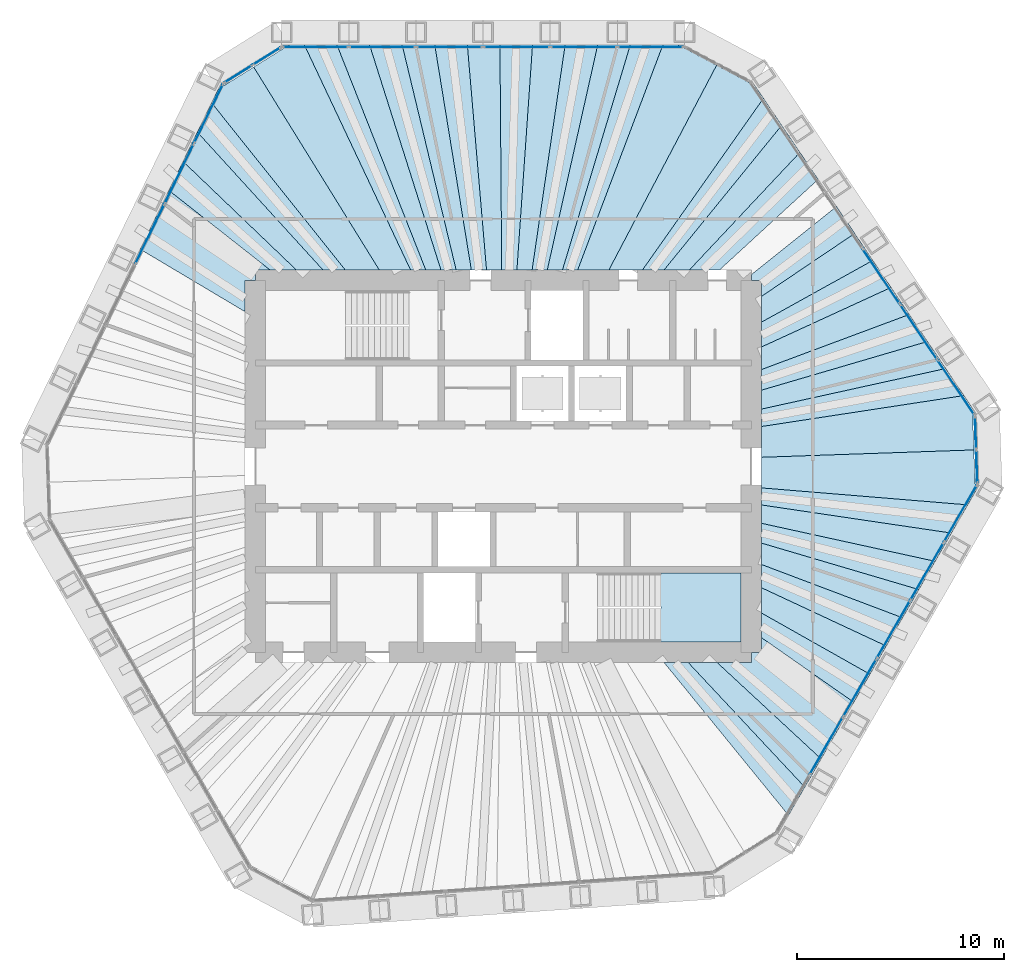
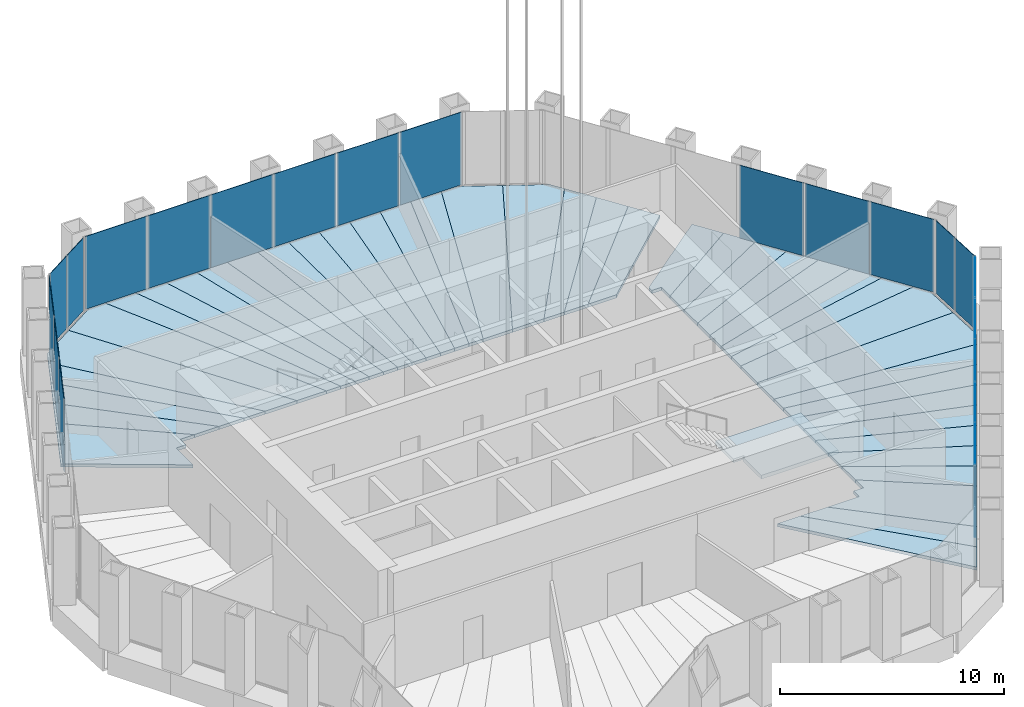
# One storey, part 10 of 19: 42 slabs, 21 plates, 7 elements without a shape of their own.
"""IFC4 building model written with IfcOpenShell, lengths in metres."""

from ifc_helpers import new_model, si_unit, direction, frame, origin, origin_2d, place, context, subcontext, project, spatial, polyline, rectangle, outline, extrude, material, layer, layer_set, type_object, element, aggregate, save


model = new_model("IFC4")

# Units and contexts
model_context = context("Model", 3, precision=1e-05, world=origin(), true_north=direction((0.0, 1.0)))
body_context = subcontext(model_context, "Body", "Model", "MODEL_VIEW")
ifc_project = project(units=[si_unit("LENGTHUNIT", "METRE"), si_unit("AREAUNIT", "SQUARE_METRE"), si_unit("VOLUMEUNIT", "CUBIC_METRE"), si_unit("PLANEANGLEUNIT", "RADIAN"), si_unit("MASSUNIT", "GRAM", prefix="KILO")], contexts=[model_context])

# Site, building, storey
site_placement = place(None, origin())
site = spatial("IfcSite", under=ifc_project, at=site_placement, CompositionType="ELEMENT")
building_placement = place(site_placement, origin())
building = spatial("IfcBuilding", under=site, at=building_placement, Name="Qingtian Harvest Tower", CompositionType="ELEMENT")
storey_placement = place(building_placement, frame((0.0, 0.0, 262.0)))
storey = spatial("IfcBuildingStorey", under=building, at=storey_placement, Name="L57", CompositionType="ELEMENT", Elevation=262.0)

# Slabs
ifc_material_1 = material(Name="Concrete fc' 35 MPa", Category="concrete")
ifc_layer_1 = layer(ifc_material_1, 0.169921875)
ifc_layer_set_1 = layer_set([ifc_layer_1], Name="Composite floor slab FS17 170")
slab_type_1 = type_object("IfcSlabType", Name="Composite floor slab FS17 170", PredefinedType="FLOOR", material=ifc_layer_set_1)
slab_1_placement = place(storey_placement, frame((0.0, 0.0, -0.169921875)))
element("IfcSlab", 1, at=slab_1_placement, inside=storey, type_object=slab_type_1, Name="Floor slab L57 panel D28", PredefinedType="FLOOR", context=body_context, shape_type="SweptSolid", body=[
    extrude(outline(polyline([(8.957275390625, -9.5), (14.5966796875, -15.52783203125), (13.8076171875, -16.89453125), (7.78515625, -9.5), (8.957275390625, -9.5)])), origin(), (0.0, 0.0, 1.0), 0.169921875),
])
slab_2_placement = place(storey_placement, frame((0.0, 0.0, -0.169921875)))
element("IfcSlab", 2, at=slab_2_placement, inside=storey, type_object=slab_type_1, Name="Floor slab L57 panel D29", PredefinedType="FLOOR", context=body_context, shape_type="SweptSolid", body=[
    extrude(outline(polyline([(10.35693359375, -9.5), (15.385986328125, -14.16064453125), (14.5966796875, -15.52783203125), (8.957275390625, -9.5), (10.35693359375, -9.5)])), origin(), (0.0, 0.0, 1.0), 0.169921875),
])
slab_3_placement = place(storey_placement, frame((0.0, 0.0, -0.169921875)))
element("IfcSlab", 3, at=slab_3_placement, inside=storey, type_object=slab_type_1, Name="Floor slab L57 panel D31", PredefinedType="FLOOR", context=body_context, shape_type="SweptSolid", body=[
    extrude(outline(polyline([(12.5, -8.29443359375), (16.96826171875, -11.420166015625), (15.385986328125, -14.16064453125), (10.35693359375, -9.5), (12.0, -9.5), (12.0, -9.0), (12.5, -9.0), (12.5, -8.29443359375)])), origin(), (0.0, 0.0, 1.0), 0.169921875),
])
slab_4_placement = place(storey_placement, frame((0.0, 0.0, -0.169921875)))
element("IfcSlab", 4, at=slab_4_placement, inside=storey, type_object=slab_type_1, Name="Floor slab L57 panel D32", PredefinedType="FLOOR", context=body_context, shape_type="SweptSolid", body=[
    extrude(outline(polyline([(12.5, -7.099853515625), (17.75146484375, -10.063720703125), (16.96826171875, -11.420166015625), (12.5, -8.29443359375), (12.5, -7.099853515625)])), origin(), (0.0, 0.0, 1.0), 0.169921875),
])
slab_5_placement = place(storey_placement, frame((0.0, 0.0, -0.169921875)))
element("IfcSlab", 5, at=slab_5_placement, inside=storey, type_object=slab_type_1, Name="Floor slab L57 panel D33", PredefinedType="FLOOR", context=body_context, shape_type="SweptSolid", body=[
    extrude(outline(polyline([(12.5, -5.875244140625), (18.54052734375, -8.69677734375), (17.75146484375, -10.063720703125), (12.5, -7.099853515625), (12.5, -5.875244140625)])), origin(), (0.0, 0.0, 1.0), 0.169921875),
])
slab_6_placement = place(storey_placement, frame((0.0, 0.0, -0.169921875)))
element("IfcSlab", 6, at=slab_6_placement, inside=storey, type_object=slab_type_1, Name="Floor slab L57 panel D34", PredefinedType="FLOOR", context=body_context, shape_type="SweptSolid", body=[
    extrude(outline(polyline([(12.5, -4.750732421875), (19.32958984375, -7.330078125), (18.54052734375, -8.69677734375), (12.5, -5.875244140625), (12.5, -4.750732421875)])), origin(), (0.0, 0.0, 1.0), 0.169921875),
])
slab_7_placement = place(storey_placement, frame((0.0, 0.0, -0.169921875)))
element("IfcSlab", 7, at=slab_7_placement, inside=storey, type_object=slab_type_1, Name="Floor slab L57 panel D35", PredefinedType="FLOOR", context=body_context, shape_type="SweptSolid", body=[
    extrude(outline(polyline([(12.5, -3.714599609375), (20.11865234375, -5.963623046875), (19.32958984375, -7.330078125), (12.5, -4.750732421875), (12.5, -3.714599609375)])), origin(), (0.0, 0.0, 1.0), 0.169921875),
])
slab_8_placement = place(storey_placement, frame((0.0, 0.0, -0.169921875)))
element("IfcSlab", 8, at=slab_8_placement, inside=storey, type_object=slab_type_1, Name="Floor slab L57 panel D36", PredefinedType="FLOOR", context=body_context, shape_type="SweptSolid", body=[
    extrude(outline(polyline([(12.5, -2.756591796875), (20.90771484375, -4.596923828125), (20.11865234375, -5.963623046875), (12.5, -3.714599609375), (12.5, -2.756591796875)])), origin(), (0.0, 0.0, 1.0), 0.169921875),
])
slab_9_placement = place(storey_placement, frame((0.0, 0.0, -0.169921875)))
element("IfcSlab", 9, at=slab_9_placement, inside=storey, type_object=slab_type_1, Name="Floor slab L57 panel D37", PredefinedType="FLOOR", context=body_context, shape_type="SweptSolid", body=[
    extrude(outline(polyline([(12.5, -1.868408203125), (21.69677734375, -3.230224609375), (20.90771484375, -4.596923828125), (12.5, -2.756591796875), (12.5, -1.868408203125)])), origin(), (0.0, 0.0, 1.0), 0.169921875),
])
slab_10_placement = place(storey_placement, frame((0.0, 0.0, -0.169921875)))
element("IfcSlab", 10, at=slab_10_placement, inside=storey, type_object=slab_type_1, Name="Floor slab L57 panel D38", PredefinedType="FLOOR", context=body_context, shape_type="SweptSolid", body=[
    extrude(outline(polyline([(12.5, -1.042724609375), (22.48583984375, -1.863525390625), (21.69677734375, -3.230224609375), (12.5, -1.868408203125), (12.5, -1.042724609375)])), origin(), (0.0, 0.0, 1.0), 0.169921875),
])
slab_11_placement = place(storey_placement, frame((0.0, 0.0, -0.169921875)))
element("IfcSlab", 11, at=slab_11_placement, inside=storey, type_object=slab_type_1, Name="Floor slab L57 panel D39", PredefinedType="FLOOR", context=body_context, shape_type="SweptSolid", body=[
    extrude(outline(polyline([(12.5, -1.042724609375), (12.5, 0.439697265625), (22.775390625, 0.795654296875), (22.846435546875, -1.23876953125), (22.48583984375, -1.863525390625), (12.5, -1.042724609375)])), origin(), (0.0, 0.0, 1.0), 0.169921875),
])
slab_12_placement = place(storey_placement, frame((0.0, 0.0, -0.169921875)))
element("IfcSlab", 12, at=slab_12_placement, inside=storey, type_object=slab_type_1, Name="Floor slab L57 panel D40", PredefinedType="FLOOR", context=body_context, shape_type="SweptSolid", body=[
    extrude(outline(polyline([(12.5, 0.439697265625), (12.5, 1.928955078125), (22.301025390625, 3.427490234375), (22.704345703125, 2.829345703125), (22.775390625, 0.795654296875), (12.5, 0.439697265625)])), origin(), (0.0, 0.0, 1.0), 0.169921875),
])
slab_13_placement = place(storey_placement, frame((0.0, 0.0, -0.169921875)))
element("IfcSlab", 13, at=slab_13_placement, inside=storey, type_object=slab_type_1, Name="Floor slab L57 panel D41", PredefinedType="FLOOR", context=body_context, shape_type="SweptSolid", body=[
    extrude(outline(polyline([(12.5, 2.772705078125), (21.41845703125, 4.73583984375), (22.301025390625, 3.427490234375), (12.5, 1.928955078125), (12.5, 2.772705078125)])), origin(), (0.0, 0.0, 1.0), 0.169921875),
])
slab_14_placement = place(storey_placement, frame((0.0, 0.0, -0.169921875)))
element("IfcSlab", 14, at=slab_14_placement, inside=storey, type_object=slab_type_1, Name="Floor slab L57 panel D42", PredefinedType="FLOOR", context=body_context, shape_type="SweptSolid", body=[
    extrude(outline(polyline([(12.5, 3.688720703125), (20.5361328125, 6.044189453125), (21.41845703125, 4.73583984375), (12.5, 2.772705078125), (12.5, 3.688720703125)])), origin(), (0.0, 0.0, 1.0), 0.169921875),
])
slab_15_placement = place(storey_placement, frame((0.0, 0.0, -0.169921875)))
element("IfcSlab", 15, at=slab_15_placement, inside=storey, type_object=slab_type_1, Name="Floor slab L57 panel D43", PredefinedType="FLOOR", context=body_context, shape_type="SweptSolid", body=[
    extrude(outline(polyline([(12.5, 4.6875), (19.653564453125, 7.3525390625), (20.5361328125, 6.044189453125), (12.5, 3.688720703125), (12.5, 4.6875)])), origin(), (0.0, 0.0, 1.0), 0.169921875),
])
slab_16_placement = place(storey_placement, frame((0.0, 0.0, -0.169921875)))
element("IfcSlab", 16, at=slab_16_placement, inside=storey, type_object=slab_type_1, Name="Floor slab L57 panel D44", PredefinedType="FLOOR", context=body_context, shape_type="SweptSolid", body=[
    extrude(outline(polyline([(12.5, 5.780029296875), (18.77099609375, 8.660888671875), (19.653564453125, 7.3525390625), (12.5, 4.6875), (12.5, 5.780029296875)])), origin(), (0.0, 0.0, 1.0), 0.169921875),
])
slab_17_placement = place(storey_placement, frame((0.0, 0.0, -0.169921875)))
element("IfcSlab", 17, at=slab_17_placement, inside=storey, type_object=slab_type_1, Name="Floor slab L57 panel D45", PredefinedType="FLOOR", context=body_context, shape_type="SweptSolid", body=[
    extrude(outline(polyline([(12.5, 6.980712890625), (17.888427734375, 9.96923828125), (18.77099609375, 8.660888671875), (12.5, 5.780029296875), (12.5, 6.980712890625)])), origin(), (0.0, 0.0, 1.0), 0.169921875),
])
slab_18_placement = place(storey_placement, frame((0.0, 0.0, -0.169921875)))
element("IfcSlab", 18, at=slab_18_placement, inside=storey, type_object=slab_type_1, Name="Floor slab L57 panel D46", PredefinedType="FLOOR", context=body_context, shape_type="SweptSolid", body=[
    extrude(outline(polyline([(12.5, 8.22998046875), (17.009521484375, 11.2724609375), (17.888427734375, 9.96923828125), (12.5, 6.980712890625), (12.5, 8.22998046875)])), origin(), (0.0, 0.0, 1.0), 0.169921875),
])
slab_19_placement = place(storey_placement, frame((0.0, 0.0, -0.169921875)))
element("IfcSlab", 19, at=slab_19_placement, inside=storey, type_object=slab_type_1, Name="Floor slab L57 panel D47", PredefinedType="FLOOR", context=body_context, shape_type="SweptSolid", body=[
    extrude(outline(polyline([(12.5, 9.0), (12.0, 9.0), (12.0, 9.2734375), (16.12841796875, 12.57861328125), (17.009521484375, 11.2724609375), (12.5, 8.22998046875), (12.5, 9.0)])), origin(), (0.0, 0.0, 1.0), 0.169921875),
])
slab_20_placement = place(storey_placement, frame((0.0, 0.0, -0.169921875)))
element("IfcSlab", 20, at=slab_20_placement, inside=storey, type_object=slab_type_1, Name="Floor slab L57 panel D49", PredefinedType="FLOOR", context=body_context, shape_type="SweptSolid", body=[
    extrude(outline(polyline([(9.002685546875, 9.5), (14.3603515625, 15.199951171875), (15.2431640625, 13.89111328125), (10.4599609375, 9.5), (9.002685546875, 9.5)])), origin(), (0.0, 0.0, 1.0), 0.169921875),
])
slab_21_placement = place(storey_placement, frame((0.0, 0.0, -0.169921875)))
element("IfcSlab", 21, at=slab_21_placement, inside=storey, type_object=slab_type_1, Name="Floor slab L57 panel D50", PredefinedType="FLOOR", context=body_context, shape_type="SweptSolid", body=[
    extrude(outline(polyline([(7.77734375, 9.5), (13.477783203125, 16.50830078125), (14.3603515625, 15.199951171875), (9.002685546875, 9.5), (7.77734375, 9.5)])), origin(), (0.0, 0.0, 1.0), 0.169921875),
])
slab_22_placement = place(storey_placement, frame((0.0, 0.0, -0.169921875)))
element("IfcSlab", 22, at=slab_22_placement, inside=storey, type_object=slab_type_1, Name="Floor slab L57 panel D51", PredefinedType="FLOOR", context=body_context, shape_type="SweptSolid", body=[
    extrude(outline(polyline([(6.73291015625, 9.5), (12.59521484375, 17.81689453125), (13.477783203125, 16.50830078125), (7.77734375, 9.5), (6.73291015625, 9.5)])), origin(), (0.0, 0.0, 1.0), 0.169921875),
])
slab_23_placement = place(storey_placement, frame((0.0, 0.0, -0.169921875)))
element("IfcSlab", 23, at=slab_23_placement, inside=storey, type_object=slab_type_1, Name="Floor slab L57 panel D52", PredefinedType="FLOOR", context=body_context, shape_type="SweptSolid", body=[
    extrude(outline(polyline([(6.73291015625, 9.5), (5.108154296875, 9.5), (10.322998046875, 19.408935546875), (12.191650390625, 18.415283203125), (12.59521484375, 17.81689453125), (6.73291015625, 9.5)])), origin(), (0.0, 0.0, 1.0), 0.169921875),
])
slab_24_placement = place(storey_placement, frame((0.0, 0.0, -0.169921875)))
element("IfcSlab", 24, at=slab_24_placement, inside=storey, type_object=slab_type_1, Name="Floor slab L57 panel D53", PredefinedType="FLOOR", context=body_context, shape_type="SweptSolid", body=[
    extrude(outline(polyline([(3.59814453125, 9.5), (7.728515625, 20.405029296875), (8.449462890625, 20.405029296875), (10.322998046875, 19.408935546875), (5.108154296875, 9.5), (3.59814453125, 9.5)])), origin(), (0.0, 0.0, 1.0), 0.169921875),
])
slab_25_placement = place(storey_placement, frame((0.0, 0.0, -0.169921875)))
element("IfcSlab", 25, at=slab_25_placement, inside=storey, type_object=slab_type_1, Name="Floor slab L57 panel D54", PredefinedType="FLOOR", context=body_context, shape_type="SweptSolid", body=[
    extrude(outline(polyline([(2.863525390625, 9.5), (6.150634765625, 20.405029296875), (7.728515625, 20.405029296875), (3.59814453125, 9.5), (2.863525390625, 9.5)])), origin(), (0.0, 0.0, 1.0), 0.169921875),
])
slab_26_placement = place(storey_placement, frame((0.0, 0.0, -0.169921875)))
element("IfcSlab", 26, at=slab_26_placement, inside=storey, type_object=slab_type_1, Name="Floor slab L57 panel D55", PredefinedType="FLOOR", context=body_context, shape_type="SweptSolid", body=[
    extrude(outline(polyline([(2.12890625, 9.5), (4.572509765625, 20.405029296875), (6.150634765625, 20.405029296875), (2.863525390625, 9.5), (2.12890625, 9.5)])), origin(), (0.0, 0.0, 1.0), 0.169921875),
])
slab_27_placement = place(storey_placement, frame((0.0, 0.0, -0.169921875)))
element("IfcSlab", 27, at=slab_27_placement, inside=storey, type_object=slab_type_1, Name="Floor slab L57 panel D56", PredefinedType="FLOOR", context=body_context, shape_type="SweptSolid", body=[
    extrude(outline(polyline([(1.394287109375, 9.5), (2.99462890625, 20.405029296875), (4.572509765625, 20.405029296875), (2.12890625, 9.5), (1.394287109375, 9.5)])), origin(), (0.0, 0.0, 1.0), 0.169921875),
])
slab_28_placement = place(storey_placement, frame((0.0, 0.0, -0.169921875)))
element("IfcSlab", 28, at=slab_28_placement, inside=storey, type_object=slab_type_1, Name="Floor slab L57 panel D57", PredefinedType="FLOOR", context=body_context, shape_type="SweptSolid", body=[
    extrude(outline(polyline([(0.659423828125, 9.5), (1.41650390625, 20.405029296875), (2.99462890625, 20.405029296875), (1.394287109375, 9.5), (0.659423828125, 9.5)])), origin(), (0.0, 0.0, 1.0), 0.169921875),
])
slab_29_placement = place(storey_placement, frame((0.0, 0.0, -0.169921875)))
element("IfcSlab", 29, at=slab_29_placement, inside=storey, type_object=slab_type_1, Name="Floor slab L57 panel D58", PredefinedType="FLOOR", context=body_context, shape_type="SweptSolid", body=[
    extrude(outline(polyline([(-0.0751953125, 9.5), (-0.161376953125, 20.405029296875), (1.41650390625, 20.405029296875), (0.659423828125, 9.5), (-0.0751953125, 9.5)])), origin(), (0.0, 0.0, 1.0), 0.169921875),
])
slab_30_placement = place(storey_placement, frame((0.0, 0.0, -0.169921875)))
element("IfcSlab", 30, at=slab_30_placement, inside=storey, type_object=slab_type_1, Name="Floor slab L57 panel D59", PredefinedType="FLOOR", context=body_context, shape_type="SweptSolid", body=[
    extrude(outline(polyline([(-0.809814453125, 9.5), (-1.739501953125, 20.405029296875), (-0.161376953125, 20.405029296875), (-0.0751953125, 9.5), (-0.809814453125, 9.5)])), origin(), (0.0, 0.0, 1.0), 0.169921875),
])
slab_31_placement = place(storey_placement, frame((0.0, 0.0, -0.169921875)))
element("IfcSlab", 31, at=slab_31_placement, inside=storey, type_object=slab_type_1, Name="Floor slab L57 panel D60", PredefinedType="FLOOR", context=body_context, shape_type="SweptSolid", body=[
    extrude(outline(polyline([(-1.54443359375, 9.5), (-3.3173828125, 20.405029296875), (-1.739501953125, 20.405029296875), (-0.809814453125, 9.5), (-1.54443359375, 9.5)])), origin(), (0.0, 0.0, 1.0), 0.169921875),
])
slab_32_placement = place(storey_placement, frame((0.0, 0.0, -0.169921875)))
element("IfcSlab", 32, at=slab_32_placement, inside=storey, type_object=slab_type_1, Name="Floor slab L57 panel D61", PredefinedType="FLOOR", context=body_context, shape_type="SweptSolid", body=[
    extrude(outline(polyline([(-2.279296875, 9.5), (-4.8955078125, 20.405029296875), (-3.3173828125, 20.405029296875), (-1.54443359375, 9.5), (-2.279296875, 9.5)])), origin(), (0.0, 0.0, 1.0), 0.169921875),
])
slab_33_placement = place(storey_placement, frame((0.0, 0.0, -0.169921875)))
element("IfcSlab", 33, at=slab_33_placement, inside=storey, type_object=slab_type_1, Name="Floor slab L57 panel D62", PredefinedType="FLOOR", context=body_context, shape_type="SweptSolid", body=[
    extrude(outline(polyline([(-3.013916015625, 9.5), (-6.473388671875, 20.405029296875), (-4.8955078125, 20.405029296875), (-2.279296875, 9.5), (-3.013916015625, 9.5)])), origin(), (0.0, 0.0, 1.0), 0.169921875),
])
slab_34_placement = place(storey_placement, frame((0.0, 0.0, -0.169921875)))
element("IfcSlab", 34, at=slab_34_placement, inside=storey, type_object=slab_type_1, Name="Floor slab L57 panel D63", PredefinedType="FLOOR", context=body_context, shape_type="SweptSolid", body=[
    extrude(outline(polyline([(-3.74853515625, 9.5), (-8.051513671875, 20.405029296875), (-6.473388671875, 20.405029296875), (-3.013916015625, 9.5), (-3.74853515625, 9.5)])), origin(), (0.0, 0.0, 1.0), 0.169921875),
])
slab_35_placement = place(storey_placement, frame((0.0, 0.0, -0.169921875)))
element("IfcSlab", 35, at=slab_35_placement, inside=storey, type_object=slab_type_1, Name="Floor slab L57 panel D64", PredefinedType="FLOOR", context=body_context, shape_type="SweptSolid", body=[
    extrude(outline(polyline([(-4.483154296875, 9.5), (-9.62939453125, 20.405029296875), (-8.051513671875, 20.405029296875), (-3.74853515625, 9.5), (-4.483154296875, 9.5)])), origin(), (0.0, 0.0, 1.0), 0.169921875),
])
slab_36_placement = place(storey_placement, frame((0.0, 0.0, -0.169921875)))
element("IfcSlab", 36, at=slab_36_placement, inside=storey, type_object=slab_type_1, Name="Floor slab L57 panel D65", PredefinedType="FLOOR", context=body_context, shape_type="SweptSolid", body=[
    extrude(outline(polyline([(-4.483154296875, 9.5), (-5.998291015625, 9.5), (-12.0791015625, 19.324951171875), (-10.350341796875, 20.405029296875), (-9.62939453125, 20.405029296875), (-4.483154296875, 9.5)])), origin(), (0.0, 0.0, 1.0), 0.169921875),
])
slab_37_placement = place(storey_placement, frame((0.0, 0.0, -0.169921875)))
element("IfcSlab", 37, at=slab_37_placement, inside=storey, type_object=slab_type_1, Name="Floor slab L57 panel D66", PredefinedType="FLOOR", context=body_context, shape_type="SweptSolid", body=[
    extrude(outline(polyline([(-5.998291015625, 9.5), (-7.640869140625, 9.5), (-14.119140625, 17.598876953125), (-13.802490234375, 18.247802734375), (-12.0791015625, 19.324951171875), (-5.998291015625, 9.5)])), origin(), (0.0, 0.0, 1.0), 0.169921875),
])
slab_38_placement = place(storey_placement, frame((0.0, 0.0, -0.169921875)))
element("IfcSlab", 38, at=slab_38_placement, inside=storey, type_object=slab_type_1, Name="Floor slab L57 panel D67", PredefinedType="FLOOR", context=body_context, shape_type="SweptSolid", body=[
    extrude(outline(polyline([(-8.720703125, 9.5), (-14.81103515625, 16.180419921875), (-14.119140625, 17.598876953125), (-7.640869140625, 9.5), (-8.720703125, 9.5)])), origin(), (0.0, 0.0, 1.0), 0.169921875),
])
slab_39_placement = place(storey_placement, frame((0.0, 0.0, -0.169921875)))
element("IfcSlab", 39, at=slab_39_placement, inside=storey, type_object=slab_type_1, Name="Floor slab L57 panel D68", PredefinedType="FLOOR", context=body_context, shape_type="SweptSolid", body=[
    extrude(outline(polyline([(-10.00927734375, 9.5), (-15.5029296875, 14.76171875), (-14.81103515625, 16.180419921875), (-8.720703125, 9.5), (-10.00927734375, 9.5)])), origin(), (0.0, 0.0, 1.0), 0.169921875),
])
slab_40_placement = place(storey_placement, frame((0.0, 0.0, -0.169921875)))
element("IfcSlab", 40, at=slab_40_placement, inside=storey, type_object=slab_type_1, Name="Floor slab L57 panel D69", PredefinedType="FLOOR", context=body_context, shape_type="SweptSolid", body=[
    extrude(outline(polyline([(-11.28125, 9.5), (-16.1875, 13.35791015625), (-15.5029296875, 14.76171875), (-10.00927734375, 9.5), (-11.28125, 9.5)])), origin(), (0.0, 0.0, 1.0), 0.169921875),
])
slab_41_placement = place(storey_placement, frame((0.0, 0.0, -0.169921875)))
element("IfcSlab", 41, at=slab_41_placement, inside=storey, type_object=slab_type_1, Name="Floor slab L57 panel D70", PredefinedType="FLOOR", context=body_context, shape_type="SweptSolid", body=[
    extrude(outline(polyline([(-12.0, 9.0), (-12.5, 9.0), (-12.5, 7.48583984375), (-17.576904296875, 10.50927734375), (-16.1875, 13.35791015625), (-11.28125, 9.5), (-12.0, 9.5), (-12.0, 9.0)])), origin(), (0.0, 0.0, 1.0), 0.169921875),
])

# Curtain wall, plates
ifc_material_2 = material(Name="Bronze-anodised aluminium curtain wall", Category="aluminium")
curtain_wall_type = type_object("IfcCurtainWallType", Name="Curtain wall CW3 sky lobby", PredefinedType="USERDEFINED", material=ifc_material_2)
curtain_wall_1_placement = place(storey_placement, origin())
curtain_wall_1 = element("IfcCurtainWall", 42, at=curtain_wall_1_placement, inside=storey, type_object=curtain_wall_type, Name="Curtain wall CW3 L57 N0-5", ObjectType="RECESSED CURTAIN WALL", PredefinedType="USERDEFINED")
ifc_material_3 = material(Name="Bronze-tinted laminated insulating glass", Category="glass")
ifc_layer_2 = layer(ifc_material_3, 0.030029296875)
ifc_layer_set_2 = layer_set([ifc_layer_2], Name="Glazed panel CWP tinted IGU")
plate_type = type_object("IfcPlateType", Name="Glazed panel CWP tinted IGU", PredefinedType="CURTAIN_PANEL", material=ifc_layer_set_2)
plate_1_placement = place(storey_placement, frame((-9.08203125, 20.300048828125, 0.06494140625), z_axis=(0.0, 0.0, 1.0), x_axis=(1.0, 0.0, 0.0)))
plate_1 = element("IfcPlate", 43, at=plate_1_placement, type_object=plate_type, Name="CW3 panel 1.1", PredefinedType="CURTAIN_PANEL", context=body_context, shape_type="SweptSolid", body=[
    extrude(rectangle(XDim=3.150634765625, YDim=0.030029296875, at=origin_2d()), origin(), (0.0, 0.0, 1.0), 3.965087890625),
])
plate_2_placement = place(storey_placement, frame((-5.85009765625, 20.300048828125, 0.06494140625), z_axis=(0.0, 0.0, 1.0), x_axis=(1.0, 0.0, 0.0)))
plate_2 = element("IfcPlate", 44, at=plate_2_placement, type_object=plate_type, Name="CW3 panel 2.1", PredefinedType="CURTAIN_PANEL", context=body_context, shape_type="SweptSolid", body=[
    extrude(rectangle(XDim=3.18310546875, YDim=0.030029296875, at=origin_2d()), origin(), (0.0, 0.0, 1.0), 3.965087890625),
])
plate_3_placement = place(storey_placement, frame((-2.602294921875, 20.300048828125, 0.06494140625), z_axis=(0.0, 0.0, 1.0), x_axis=(1.0, 0.0, 0.0)))
plate_3 = element("IfcPlate", 45, at=plate_3_placement, type_object=plate_type, Name="CW3 panel 3.1", PredefinedType="CURTAIN_PANEL", context=body_context, shape_type="SweptSolid", body=[
    extrude(rectangle(XDim=3.18310546875, YDim=0.030029296875, at=origin_2d()), origin(), (0.0, 0.0, 1.0), 3.965087890625),
])
plate_4_placement = place(storey_placement, frame((0.645751953125, 20.300048828125, 0.06494140625), z_axis=(0.0, 0.0, 1.0), x_axis=(1.0, 0.0, 0.0)))
plate_4 = element("IfcPlate", 46, at=plate_4_placement, type_object=plate_type, Name="CW3 panel 4.1", PredefinedType="CURTAIN_PANEL", context=body_context, shape_type="SweptSolid", body=[
    extrude(rectangle(XDim=3.18310546875, YDim=0.030029296875, at=origin_2d()), origin(), (0.0, 0.0, 1.0), 3.965087890625),
])
plate_5_placement = place(storey_placement, frame((3.893798828125, 20.300048828125, 0.06494140625), z_axis=(0.0, 0.0, 1.0), x_axis=(1.0, 0.0, 0.0)))
plate_5 = element("IfcPlate", 47, at=plate_5_placement, type_object=plate_type, Name="CW3 panel 5.1", PredefinedType="CURTAIN_PANEL", context=body_context, shape_type="SweptSolid", body=[
    extrude(rectangle(XDim=3.18310546875, YDim=0.030029296875, at=origin_2d()), origin(), (0.0, 0.0, 1.0), 3.965087890625),
])
plate_6_placement = place(storey_placement, frame((7.125732421875, 20.300048828125, 0.06494140625), z_axis=(0.0, 0.0, 1.0), x_axis=(1.0, 0.0, 0.0)))
plate_6 = element("IfcPlate", 48, at=plate_6_placement, type_object=plate_type, Name="CW3 panel 6.1", PredefinedType="CURTAIN_PANEL", context=body_context, shape_type="SweptSolid", body=[
    extrude(rectangle(XDim=3.150634765625, YDim=0.030029296875, at=origin_2d()), origin(), (0.0, 0.0, 1.0), 3.965087890625),
])
aggregate(curtain_wall_1, [plate_1, plate_2, plate_3, plate_4, plate_5, plate_6])

curtain_wall_2_placement = place(storey_placement, origin())
curtain_wall_2 = element("IfcCurtainWall", 49, at=curtain_wall_2_placement, inside=storey, type_object=curtain_wall_type, Name="Curtain wall CW3 L57 NE0-5", ObjectType="RECESSED CURTAIN WALL", PredefinedType="USERDEFINED")
plate_7_placement = place(storey_placement, frame((18.28466796875, 9.1943359375, 0.06494140625), z_axis=(0.0, 0.0, 1.0), x_axis=(0.559192903471, -0.829037572555, 0.0)))
plate_7 = element("IfcPlate", 50, at=plate_7_placement, type_object=plate_type, Name="CW3 panel 4.1", PredefinedType="CURTAIN_PANEL", context=body_context, shape_type="SweptSolid", body=[
    extrude(rectangle(XDim=3.18310546875, YDim=0.030029296875, at=origin_2d()), origin(), (0.0, 0.0, 1.0), 3.965087890625),
])
plate_8_placement = place(storey_placement, frame((20.100830078125, 6.50146484375, 0.06494140625), z_axis=(0.0, 0.0, 1.0), x_axis=(0.559192903471, -0.829037572555, 0.0)))
plate_8 = element("IfcPlate", 51, at=plate_8_placement, type_object=plate_type, Name="CW3 panel 5.1", PredefinedType="CURTAIN_PANEL", context=body_context, shape_type="SweptSolid", body=[
    extrude(rectangle(XDim=3.18310546875, YDim=0.030029296875, at=origin_2d()), origin(), (0.0, 0.0, 1.0), 3.965087890625),
])
plate_9_placement = place(storey_placement, frame((21.907958984375, 3.822265625, 0.06494140625), z_axis=(0.0, 0.0, 1.0), x_axis=(0.559192903471, -0.829037572555, 0.0)))
plate_9 = element("IfcPlate", 52, at=plate_9_placement, type_object=plate_type, Name="CW3 panel 6.1", PredefinedType="CURTAIN_PANEL", context=body_context, shape_type="SweptSolid", body=[
    extrude(rectangle(XDim=3.150634765625, YDim=0.030029296875, at=origin_2d()), origin(), (0.0, 0.0, 1.0), 3.965087890625),
])
aggregate(curtain_wall_2, [plate_7, plate_8, plate_9])

curtain_wall_3_placement = place(storey_placement, origin())
curtain_wall_3 = element("IfcCurtainWall", 53, at=curtain_wall_3_placement, inside=storey, type_object=curtain_wall_type, Name="Curtain wall CW3 L57 NEC", ObjectType="RECESSED CURTAIN WALL", PredefinedType="USERDEFINED")
plate_10_placement = place(storey_placement, frame((22.85498046875, 1.614501953125, 0.06494140625), z_axis=(0.0, 0.0, 1.0), x_axis=(0.034899496703, -0.999390827019, 0.0)))
plate_10 = element("IfcPlate", 54, at=plate_10_placement, type_object=plate_type, Name="CW3 panel 1.1", PredefinedType="CURTAIN_PANEL", context=body_context, shape_type="SweptSolid", body=[
    extrude(rectangle(XDim=1.56689453125, YDim=0.030029296875, at=origin_2d()), origin(), (0.0, 0.0, 1.0), 3.965087890625),
])
plate_11_placement = place(storey_placement, frame((22.911865234375, -0.016357421875, 0.06494140625), z_axis=(0.0, 0.0, 1.0), x_axis=(0.034899496703, -0.999390827019, 0.0)))
plate_11 = element("IfcPlate", 55, at=plate_11_placement, type_object=plate_type, Name="CW3 panel 2.1", PredefinedType="CURTAIN_PANEL", context=body_context, shape_type="SweptSolid", body=[
    extrude(rectangle(XDim=1.56689453125, YDim=0.030029296875, at=origin_2d()), origin(), (0.0, 0.0, 1.0), 3.965087890625),
])
aggregate(curtain_wall_3, [plate_10, plate_11])

curtain_wall_4_placement = place(storey_placement, origin())
curtain_wall_4 = element("IfcCurtainWall", 56, at=curtain_wall_4_placement, inside=storey, type_object=curtain_wall_type, Name="Curtain wall CW3 L57 SE0-5", ObjectType="RECESSED CURTAIN WALL", PredefinedType="USERDEFINED")
plate_12_placement = place(storey_placement, frame((22.121337890625, -2.28466796875, 0.06494140625), z_axis=(0.0, 0.0, 1.0), x_axis=(-0.5, -0.866025403784, 0.0)))
plate_12 = element("IfcPlate", 57, at=plate_12_placement, type_object=plate_type, Name="CW3 panel 1.1", PredefinedType="CURTAIN_PANEL", context=body_context, shape_type="SweptSolid", body=[
    extrude(rectangle(XDim=3.150634765625, YDim=0.030029296875, at=origin_2d()), origin(), (0.0, 0.0, 1.0), 3.965087890625),
])
plate_13_placement = place(storey_placement, frame((20.50537109375, -5.08349609375, 0.06494140625), z_axis=(0.0, 0.0, 1.0), x_axis=(-0.5, -0.866025403784, 0.0)))
plate_13 = element("IfcPlate", 58, at=plate_13_placement, type_object=plate_type, Name="CW3 panel 2.1", PredefinedType="CURTAIN_PANEL", context=body_context, shape_type="SweptSolid", body=[
    extrude(rectangle(XDim=3.18310546875, YDim=0.030029296875, at=origin_2d()), origin(), (0.0, 0.0, 1.0), 3.965087890625),
])
plate_14_placement = place(storey_placement, frame((18.88134765625, -7.896484375, 0.06494140625), z_axis=(0.0, 0.0, 1.0), x_axis=(-0.5, -0.866025403784, 0.0)))
plate_14 = element("IfcPlate", 59, at=plate_14_placement, type_object=plate_type, Name="CW3 panel 3.1", PredefinedType="CURTAIN_PANEL", context=body_context, shape_type="SweptSolid", body=[
    extrude(rectangle(XDim=3.18310546875, YDim=0.030029296875, at=origin_2d()), origin(), (0.0, 0.0, 1.0), 3.965087890625),
])
plate_15_placement = place(storey_placement, frame((17.25732421875, -10.709228515625, 0.06494140625), z_axis=(0.0, 0.0, 1.0), x_axis=(-0.5, -0.866025403784, 0.0)))
plate_15 = element("IfcPlate", 60, at=plate_15_placement, type_object=plate_type, Name="CW3 panel 4.1", PredefinedType="CURTAIN_PANEL", context=body_context, shape_type="SweptSolid", body=[
    extrude(rectangle(XDim=3.18310546875, YDim=0.030029296875, at=origin_2d()), origin(), (0.0, 0.0, 1.0), 3.965087890625),
])
plate_16_placement = place(storey_placement, frame((15.63330078125, -13.522216796875, 0.06494140625), z_axis=(0.0, 0.0, 1.0), x_axis=(-0.5, -0.866025403784, 0.0)))
plate_16 = element("IfcPlate", 61, at=plate_16_placement, type_object=plate_type, Name="CW3 panel 5.1", PredefinedType="CURTAIN_PANEL", context=body_context, shape_type="SweptSolid", body=[
    extrude(rectangle(XDim=3.18310546875, YDim=0.030029296875, at=origin_2d()), origin(), (0.0, 0.0, 1.0), 3.965087890625),
])
aggregate(curtain_wall_4, [plate_12, plate_13, plate_14, plate_15, plate_16])

curtain_wall_5_placement = place(storey_placement, origin())
curtain_wall_5 = element("IfcCurtainWall", 62, at=curtain_wall_5_placement, inside=storey, type_object=curtain_wall_type, Name="Curtain wall CW3 L57 NW0-5", ObjectType="RECESSED CURTAIN WALL", PredefinedType="USERDEFINED")
plate_17_placement = place(storey_placement, frame((-17.104736328125, 11.23779296875, 0.06494140625), z_axis=(0.0, 0.0, 1.0), x_axis=(0.438371146789, 0.898794046299, 0.0)))
plate_17 = element("IfcPlate", 63, at=plate_17_placement, type_object=plate_type, Name="CW3 panel 4.1", PredefinedType="CURTAIN_PANEL", context=body_context, shape_type="SweptSolid", body=[
    extrude(rectangle(XDim=3.18310546875, YDim=0.030029296875, at=origin_2d()), origin(), (0.0, 0.0, 1.0), 3.965087890625),
])
plate_18_placement = place(storey_placement, frame((-15.680908203125, 14.156982421875, 0.06494140625), z_axis=(0.0, 0.0, 1.0), x_axis=(0.438371146789, 0.898794046299, 0.0)))
plate_18 = element("IfcPlate", 64, at=plate_18_placement, type_object=plate_type, Name="CW3 panel 5.1", PredefinedType="CURTAIN_PANEL", context=body_context, shape_type="SweptSolid", body=[
    extrude(rectangle(XDim=3.18310546875, YDim=0.030029296875, at=origin_2d()), origin(), (0.0, 0.0, 1.0), 3.965087890625),
])
plate_19_placement = place(storey_placement, frame((-14.26416015625, 17.061767578125, 0.06494140625), z_axis=(0.0, 0.0, 1.0), x_axis=(0.438371146789, 0.898794046299, 0.0)))
plate_19 = element("IfcPlate", 65, at=plate_19_placement, type_object=plate_type, Name="CW3 panel 6.1", PredefinedType="CURTAIN_PANEL", context=body_context, shape_type="SweptSolid", body=[
    extrude(rectangle(XDim=3.150634765625, YDim=0.030029296875, at=origin_2d()), origin(), (0.0, 0.0, 1.0), 3.965087890625),
])
aggregate(curtain_wall_5, [plate_17, plate_18, plate_19])

curtain_wall_6_placement = place(storey_placement, origin())
curtain_wall_6 = element("IfcCurtainWall", 66, at=curtain_wall_6_placement, inside=storey, type_object=curtain_wall_type, Name="Curtain wall CW3 L57 NWC", ObjectType="RECESSED CURTAIN WALL", PredefinedType="USERDEFINED")
plate_20_placement = place(storey_placement, frame((-12.82568359375, 18.985595703125, 0.06494140625), z_axis=(0.0, 0.0, 1.0), x_axis=(0.848048096156, 0.529919264233, 0.0)))
plate_20 = element("IfcPlate", 67, at=plate_20_placement, type_object=plate_type, Name="CW3 panel 1.1", PredefinedType="CURTAIN_PANEL", context=body_context, shape_type="SweptSolid", body=[
    extrude(rectangle(XDim=1.56689453125, YDim=0.030029296875, at=origin_2d()), origin(), (0.0, 0.0, 1.0), 3.965087890625),
])
plate_21_placement = place(storey_placement, frame((-11.441650390625, 19.850341796875, 0.06494140625), z_axis=(0.0, 0.0, 1.0), x_axis=(0.848048096156, 0.529919264233, 0.0)))
plate_21 = element("IfcPlate", 68, at=plate_21_placement, type_object=plate_type, Name="CW3 panel 2.1", PredefinedType="CURTAIN_PANEL", context=body_context, shape_type="SweptSolid", body=[
    extrude(rectangle(XDim=1.56689453125, YDim=0.030029296875, at=origin_2d()), origin(), (0.0, 0.0, 1.0), 3.965087890625),
])
aggregate(curtain_wall_6, [plate_20, plate_21])

# Stair, slab
ifc_material_4 = material(Name="Concrete fc' 35 MPa", Category="concrete")
stair_type = type_object("IfcStairType", Name="Special stair ST6 4200", PredefinedType="HALF_TURN_STAIR", material=ifc_material_4)
stair_placement = place(storey_placement, origin())
stair = element("IfcStair", 69, at=stair_placement, inside=storey, type_object=stair_type, Name="Special stair S2 L57", PredefinedType="HALF_TURN_STAIR")
ifc_material_5 = material(Name="Concrete fc' 35 MPa", Category="concrete")
ifc_layer_3 = layer(ifc_material_5, 0.199951171875)
ifc_layer_set_3 = layer_set([ifc_layer_3], Name="Stair landing SL2 200")
slab_type_2 = type_object("IfcSlabType", Name="Stair landing SL2 200", PredefinedType="LANDING", material=ifc_layer_set_3)
slab_42_placement = place(storey_placement, frame((0.0, 0.0, 1.89990234375)))
slab_42 = element("IfcSlab", 70, at=slab_42_placement, type_object=slab_type_2, Name="S2 landing 2", PredefinedType="LANDING", context=body_context, shape_type="SweptSolid", body=[
    extrude(outline(polyline([(7.530029296875, -8.5), (7.530029296875, -6.875), (7.6298828125, -6.875), (7.6298828125, -6.77490234375), (7.094970703125, -6.77490234375), (7.094970703125, -5.14990234375), (11.5, -5.14990234375), (11.5, -8.5), (7.530029296875, -8.5)])), origin(), (0.0, 0.0, 1.0), 0.2001953125),
])
aggregate(stair, [slab_42])

save(model, "model.ifc")
